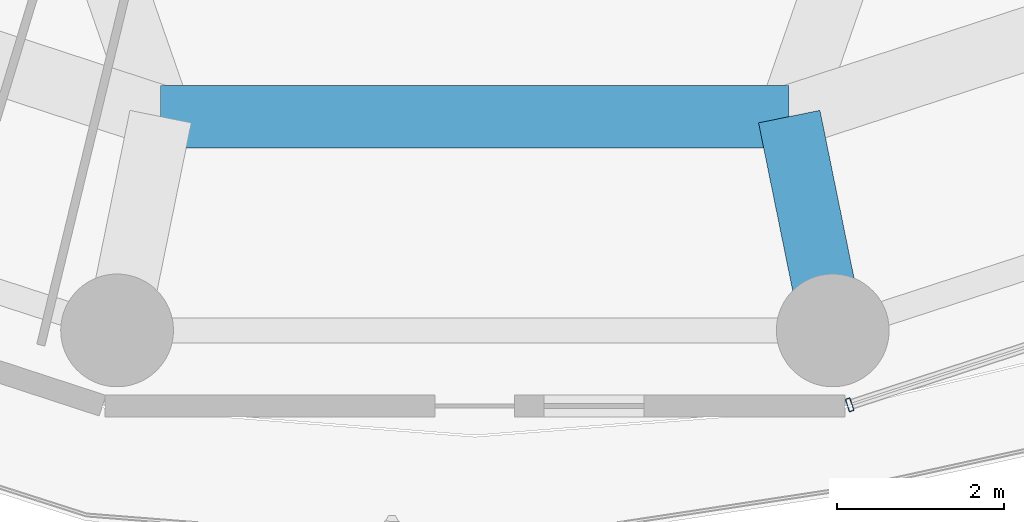
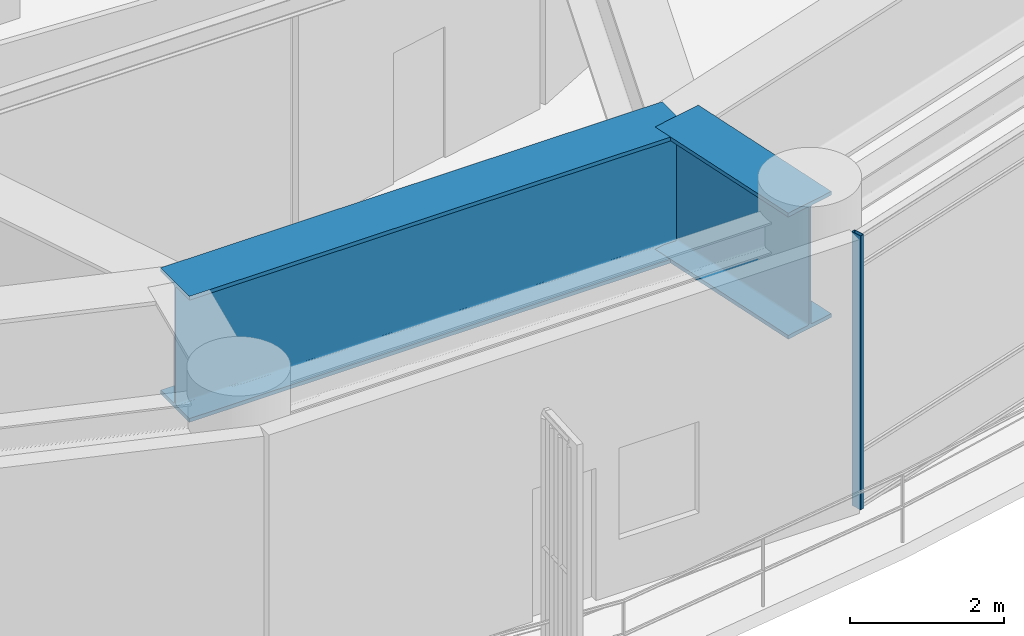
# One storey, part 4 of 34: 2 beams, 1 member, 1 element without a shape of its own.
"""IFC4 building model written with IfcOpenShell, lengths in metres."""

import ifcopenshell
import ifcopenshell.guid

model = None  # the IFC model being written
_history = None  # IfcOwnerHistory: only IFC2X3 demands one
_inside = {}  # id of a spatial element -> (the spatial element, [elements in it])
_under = {}  # id of a project, library or spatial element -> (it, [spatial elements below it])
_declared = {}  # id of a project -> (the project, [libraries it declares])
_typed = {}  # id of a type object -> (the type object, [elements of that type])
_made_of = {}  # id of a material, layer set ... -> (it, [elements and type objects made of it])


def new_model(schema):
    """Start an empty IFC model of exactly this schema.

    Asked for "IFC4X3", IfcOpenShell would pick the latest addendum, in which some entities
    have other attributes; the version numbers below select the first issue.
    IFC2X3 requires an IfcOwnerHistory on every rooted entity: one is made here for all.
    """
    global model, _history
    if schema == "IFC4X3":
        model = ifcopenshell.file(schema_version=(4, 3, 0, 0))
    else:
        model = ifcopenshell.file(schema=schema)
    _inside.clear()
    _under.clear()
    _declared.clear()
    _typed.clear()
    _made_of.clear()
    _history = None
    if model.schema == "IFC2X3":
        org = make("IfcOrganization", Name="unknown")
        user = make(
            "IfcPersonAndOrganization",
            ThePerson=make("IfcPerson", FamilyName="unknown"),
            TheOrganization=org,
        )
        app = make(
            "IfcApplication",
            ApplicationDeveloper=org,
            Version="unknown",
            ApplicationFullName="unknown",
            ApplicationIdentifier="unknown",
        )
        _history = make(
            "IfcOwnerHistory",
            OwningUser=user,
            OwningApplication=app,
            ChangeAction="ADDED",
            CreationDate=0,
        )
    return model


def make(cls, **values):
    """One entity of the class cls with the attributes given. An attribute that is None is left unset."""
    return model.create_entity(
        cls, **{name: value for name, value in values.items() if value is not None}
    )


def rooted(cls, **values):
    """An entity with a GlobalId (a new one), such as an element, a storey or a relation."""
    return make(cls, GlobalId=ifcopenshell.guid.new(), OwnerHistory=_history, **values)


def si_unit(unit_type, name, prefix=None):
    """IfcSIUnit, for example si_unit("LENGTHUNIT", "METRE", prefix="MILLI")."""
    return make("IfcSIUnit", UnitType=unit_type, Prefix=prefix, Name=name)


def assignment(units):
    """IfcUnitAssignment: the units of a project."""
    return None if units is None else make("IfcUnitAssignment", Units=units)


def point(xyz):
    """IfcCartesianPoint."""
    return None if xyz is None else make("IfcCartesianPoint", Coordinates=xyz)


def direction(xyz):
    """IfcDirection."""
    return None if xyz is None else make("IfcDirection", DirectionRatios=xyz)


def frame(location, z_axis=None, x_axis=None):
    """IfcAxis2Placement3D, a coordinate frame: its origin and axes. An axis left out is left unset."""
    return make(
        "IfcAxis2Placement3D",
        Location=point(location),
        Axis=direction(z_axis),
        RefDirection=direction(x_axis),
    )


def frame_2d(location, x_axis=None):
    """IfcAxis2Placement2D, a coordinate frame in the plane: its origin and x axis."""
    return make(
        "IfcAxis2Placement2D", Location=point(location), RefDirection=direction(x_axis)
    )


def origin():
    """The frame at (0, 0, 0) with its axes left unset."""
    return frame((0.0, 0.0, 0.0))


def origin_2d():
    """The frame at (0, 0) in the plane with its x axis left unset."""
    return frame_2d((0.0, 0.0))


def place(relative_to, where):
    """IfcLocalPlacement: puts the frame where relative to a parent placement (None: the world)."""
    return make(
        "IfcLocalPlacement", PlacementRelTo=relative_to, RelativePlacement=where
    )


def context(
    kind, dimensions, precision=None, world=None, true_north=None, identifier=None
):
    """IfcGeometricRepresentationContext, for example the 3D "Model" context."""
    return make(
        "IfcGeometricRepresentationContext",
        ContextIdentifier=identifier,
        ContextType=kind,
        CoordinateSpaceDimension=dimensions,
        Precision=precision,
        WorldCoordinateSystem=world,
        TrueNorth=true_north,
    )


def subcontext(parent, identifier, kind, view, scale=None):
    """IfcGeometricRepresentationSubContext, for example "Body" below "Model"."""
    return make(
        "IfcGeometricRepresentationSubContext",
        ContextIdentifier=identifier,
        ContextType=kind,
        ParentContext=parent,
        TargetScale=scale,
        TargetView=view,
    )


def project(units=None, contexts=None):
    """IfcProject with its units and contexts."""
    return rooted(
        "IfcProject",
        Name="project",
        RepresentationContexts=contexts,
        UnitsInContext=assignment(units),
    )


def spatial(cls, under=None, at=None, **own):
    """A site, building, storey or space (cls), placed at a placement, below another one or the project."""
    s = rooted(cls, ObjectPlacement=at, **own)
    if under is not None:
        _under.setdefault(under.id(), (under, []))[1].append(s)
    return s


def profile(cls, at=None, kind="AREA", **sizes):
    """A parametric profile (cls). Its sizes go by their IFC names, for example OverallWidth=200.0."""
    return make(cls, ProfileType=kind, Position=at, **sizes)


def hollow_rectangle(**sizes):
    """IfcRectangleHollowProfileDef."""
    return profile("IfcRectangleHollowProfileDef", **sizes)


def i_section(**sizes):
    """IfcIShapeProfileDef."""
    return profile("IfcIShapeProfileDef", **sizes)


def extrude(swept, where, along, depth):
    """IfcExtrudedAreaSolid: the profile swept, set in the frame where, extruded along a direction by depth."""
    return make(
        "IfcExtrudedAreaSolid",
        SweptArea=swept,
        Position=where,
        ExtrudedDirection=direction(along),
        Depth=depth,
    )


def shape(context_of_items, identifier, shape_type, items):
    """IfcShapeRepresentation: the items that make up one representation, for example the "Body"."""
    return make(
        "IfcShapeRepresentation",
        ContextOfItems=context_of_items,
        RepresentationIdentifier=identifier,
        RepresentationType=shape_type,
        Items=items,
    )


def material(Name=None, Category=None):
    """IfcMaterial."""
    return make("IfcMaterial", Name=Name, Category=Category)


def layer(
    of_material, thickness, ventilated=None, Name=None, Category=None, Priority=None
):
    """IfcMaterialLayer: one layer of a wall or slab, of a material (None: an air gap)."""
    return make(
        "IfcMaterialLayer",
        Material=of_material,
        LayerThickness=thickness,
        IsVentilated=ventilated,
        Name=Name,
        Category=Category,
        Priority=Priority,
    )


def layer_set(layers, Name=None):
    """IfcMaterialLayerSet."""
    return make("IfcMaterialLayerSet", MaterialLayers=layers, LayerSetName=Name)


def material_profile(
    of_material, cross_section, Name=None, Category=None, Priority=None
):
    """IfcMaterialProfile: a cross section and its material."""
    return make(
        "IfcMaterialProfile",
        Name=Name,
        Material=of_material,
        Profile=cross_section,
        Priority=Priority,
        Category=Category,
    )


def profile_set(profiles, Name=None, composite=None):
    """IfcMaterialProfileSet."""
    return make(
        "IfcMaterialProfileSet",
        Name=Name,
        MaterialProfiles=profiles,
        CompositeProfile=composite,
    )


def made_of(thing, what):
    """Note that an element or type object is made of a material, layer set ...; save() writes the relation."""
    if what is not None:
        _made_of.setdefault(what.id(), (what, []))[1].append(thing)
    return thing


def type_object(cls, material=None, **own):
    """A type object (cls), such as IfcWallType, which elements share."""
    return made_of(rooted(cls, **own), material)


def element(
    cls,
    number,
    at=None,
    inside=None,
    cuts=None,
    type_object=None,
    material=None,
    context=None,
    identifier="Body",
    shape_type=None,
    held_by="IfcProductDefinitionShape",
    body=None,
    shapes=None,
    **own,
):
    """One element of the class cls, such as IfcWall. Its Tag is "e" and its number.

    at: its placement. inside: the storey or other place that contains it. cuts: it is an
    opening in that element (IfcRelVoidsElement). A single representation is given by context,
    identifier, shape_type and body (its items); several are given by shapes. held_by: the class
    of the entity that holds the representations. save() writes the other relations.
    """
    e = rooted(cls, Tag="e%d" % number, ObjectPlacement=at, **own)
    if body is not None:
        shapes = [shape(context, identifier, shape_type, body)]
    if shapes is not None:
        e.Representation = make(held_by, Representations=shapes)
    if inside is not None:
        _inside.setdefault(inside.id(), (inside, []))[1].append(e)
    if cuts is not None:
        rooted(
            "IfcRelVoidsElement", RelatingBuildingElement=cuts, RelatedOpeningElement=e
        )
    if type_object is not None:
        _typed.setdefault(type_object.id(), (type_object, []))[1].append(e)
    return made_of(e, material)


def aggregate(whole, parts):
    """IfcRelAggregates: a whole, such as a stair, and the parts it consists of."""
    return rooted("IfcRelAggregates", RelatingObject=whole, RelatedObjects=parts)


def save(model, path):
    """Write the relations noted so far, then the file.

    IfcRelAggregates (storeys below a building ...), IfcRelContainedInSpatialStructure (elements
    in a storey), IfcRelDefinesByType, IfcRelAssociatesMaterial and IfcRelDeclares: one each for
    every whole, place, type object, material and project.
    """
    for whole, parts in _under.values():
        aggregate(whole, parts)
    for where, things in _inside.values():
        rooted(
            "IfcRelContainedInSpatialStructure",
            RelatedElements=things,
            RelatingStructure=where,
        )
    for kind, things in _typed.values():
        rooted("IfcRelDefinesByType", RelatedObjects=things, RelatingType=kind)
    for what, things in _made_of.values():
        rooted("IfcRelAssociatesMaterial", RelatedObjects=things, RelatingMaterial=what)
    for by, libraries in _declared.values():
        rooted("IfcRelDeclares", RelatingContext=by, RelatedDefinitions=libraries)
    model.write(path)


model = new_model("IFC4")

# Units and contexts
model_context = context("Model", 3, precision=1e-05, world=origin(), true_north=direction((0.0, 1.0)))
body_context = subcontext(model_context, "Body", "Model", "MODEL_VIEW")
ifc_project = project(units=[si_unit("LENGTHUNIT", "METRE"), si_unit("AREAUNIT", "SQUARE_METRE"), si_unit("VOLUMEUNIT", "CUBIC_METRE"), si_unit("PLANEANGLEUNIT", "RADIAN"), si_unit("MASSUNIT", "GRAM", prefix="KILO")], contexts=[model_context])

# Site, building, storey
site_placement = place(None, origin())
site = spatial("IfcSite", under=ifc_project, at=site_placement, CompositionType="ELEMENT")
building_placement = place(site_placement, origin())
building = spatial("IfcBuilding", under=site, at=building_placement, Name="Kelanora Arch Commons", CompositionType="ELEMENT")
storey_placement = place(building_placement, frame((0.0, 0.0, 125.10009765625)))
storey = spatial("IfcBuildingStorey", under=building, at=storey_placement, Name="L32", CompositionType="ELEMENT", Elevation=125.10009765625)

# Beams
ifc_material_1 = material(Name="Steel S355", Category="steel")
ifc_material_profile_1 = material_profile(ifc_material_1, i_section(OverallWidth=0.75, OverallDepth=2.0, WebThickness=0.034912109375, FlangeThickness=0.06005859375, FilletRadius=0.028076171875, at=origin_2d()), Name="PG2000x750")
ifc_profile_set_1 = profile_set([ifc_material_profile_1], Name="Steel S355")
beam_type = type_object("IfcBeamType", Name="BM-XFER-SET", PredefinedType="USERDEFINED", material=ifc_profile_set_1)
beam_1_placement = place(storey_placement, frame((77.7646484375, 38.81591796875, 3.35986328125), z_axis=(0.199385185861, -0.979921194617, 0.0), x_axis=(0.979921194617, 0.199385185861, 0.0)))
element("IfcBeam", 1, at=beam_1_placement, inside=storey, type_object=beam_type, Name="Radial Floor Girder BR-28 L32", ObjectType="TRANSFER_GIRDER", PredefinedType="USERDEFINED", context=body_context, shape_type="SweptSolid", body=[
    extrude(i_section(OverallWidth=0.75, OverallDepth=2.0, WebThickness=0.034912109375, FlangeThickness=0.06005859375, FilletRadius=0.028076171875, at=origin_2d()), origin(), (0.0, 0.0, 1.0), 2.613037109375),
])
beam_2_placement = place(storey_placement, frame((70.2353515625, 38.81591796875, 3.35986328125), z_axis=(1.0, 0.0, 0.0), x_axis=(0.0, 1.0, 0.0)))
element("IfcBeam", 2, at=beam_2_placement, inside=storey, type_object=beam_type, Name="Setback Inner Transfer Ring BSI-26 L32", ObjectType="TRANSFER_GIRDER", PredefinedType="USERDEFINED", context=body_context, shape_type="SweptSolid", body=[
    extrude(i_section(OverallWidth=0.75, OverallDepth=2.0, WebThickness=0.034912109375, FlangeThickness=0.06005859375, FilletRadius=0.028076171875, at=origin_2d()), origin(), (0.0, 0.0, 1.0), 7.529296875),
])

# Curtain wall, member
ifc_material_2 = material(Name="Terracotta ceramic-fritted low-E glass and aluminium", Category="masonry")
ifc_layer = layer(ifc_material_2, 0.159912109375)
ifc_layer_set = layer_set([ifc_layer], Name="Terracotta ceramic-fritted low-E glass and aluminium")
curtain_wall_type = type_object("IfcCurtainWallType", Name="CW-SYS-01", PredefinedType="NOTDEFINED", material=ifc_layer_set)
curtain_wall_placement = place(storey_placement, origin())
curtain_wall = element("IfcCurtainWall", 3, at=curtain_wall_placement, inside=storey, type_object=curtain_wall_type, Name="Unitised Curtain Wall L32-B14", PredefinedType="NOTDEFINED")
ifc_material_3 = material(Name="Powder-coated aluminium terracotta", Category="masonry")
ifc_material_profile_2 = material_profile(ifc_material_3, hollow_rectangle(XDim=0.159912109375, YDim=0.06005859375, WallThickness=0.0048828125, InnerFilletRadius=0.0048828125, OuterFilletRadius=0.010009765625, at=origin_2d()), Name="CWM160x60")
ifc_profile_set_2 = profile_set([ifc_material_profile_2], Name="Powder-coated aluminium terracotta")
member_type = type_object("IfcMemberType", Name="CWM-STD", PredefinedType="MULLION", material=ifc_profile_set_2)
member_placement = place(storey_placement, frame((78.48828125, 35.363525390625, 0.0), z_axis=(0.0, 0.0, 1.0), x_axis=(-0.31080470294, 0.950473795867, 0.0)))
member = element("IfcMember", 4, at=member_placement, type_object=member_type, Name="CW-01 mullion 1", PredefinedType="MULLION", context=body_context, shape_type="SweptSolid", body=[
    extrude(hollow_rectangle(XDim=0.159912109375, YDim=0.06005859375, WallThickness=0.0048828125, InnerFilletRadius=0.0048828125, OuterFilletRadius=0.010009765625, at=origin_2d()), origin(), (0.0, 0.0, 1.0), 4.344970703125),
])
aggregate(curtain_wall, [member])

save(model, "model.ifc")
